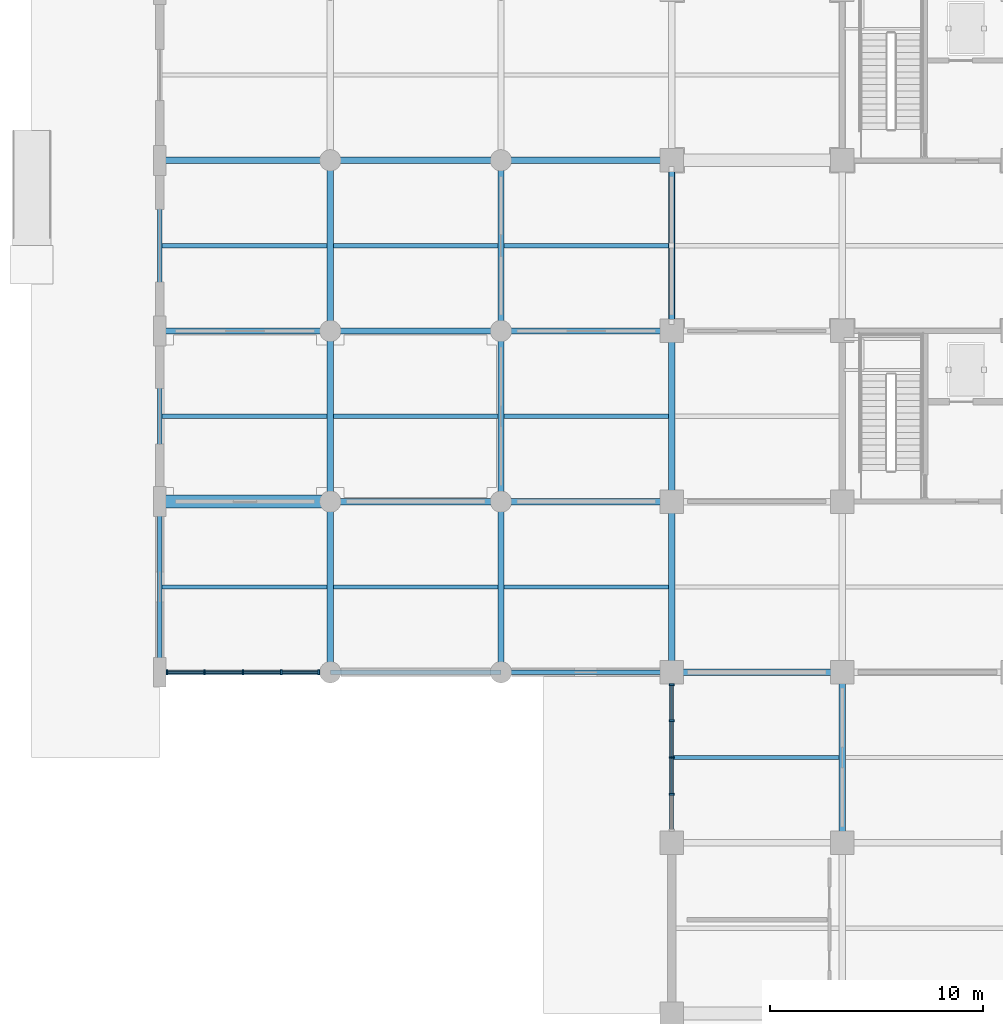
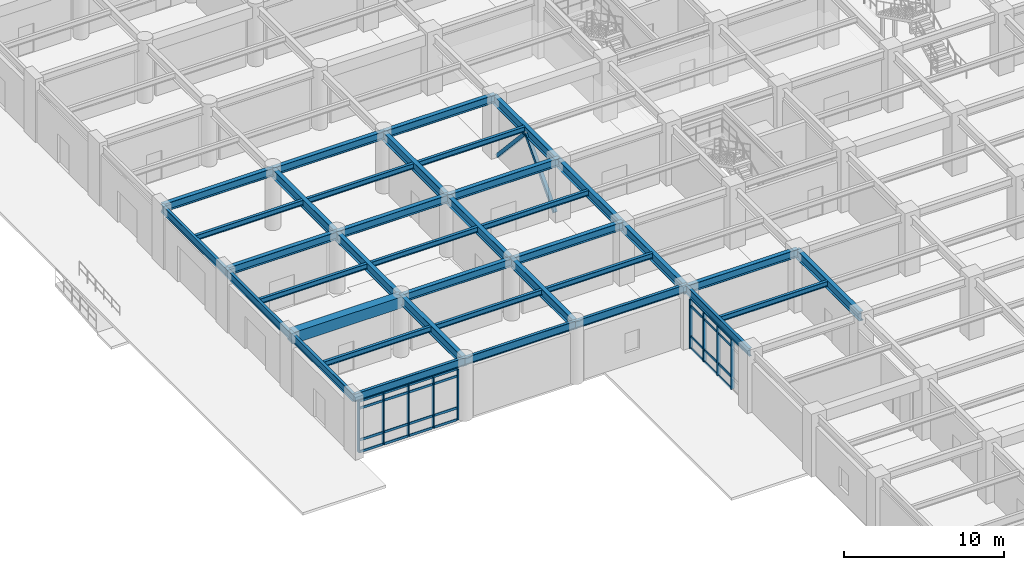
# One storey, part 23 of 125: 39 members, 37 beams, 2 elements without a shape of their own.
"""IFC4 building model written with IfcOpenShell, lengths in metres."""

from ifc_helpers import new_model, si_unit, direction, frame, origin, origin_2d, place, context, subcontext, project, spatial, rectangle, hollow_rectangle, i_section, extrude, material, layer, layer_set, material_profile, profile_set, type_object, element, aggregate, save


model = new_model("IFC4")

# Units and contexts
model_context = context("Model", 3, precision=1e-05, world=origin(), true_north=direction((0.0, 1.0)))
body_context = subcontext(model_context, "Body", "Model", "MODEL_VIEW")
ifc_project = project(units=[si_unit("LENGTHUNIT", "METRE"), si_unit("AREAUNIT", "SQUARE_METRE"), si_unit("VOLUMEUNIT", "CUBIC_METRE"), si_unit("PLANEANGLEUNIT", "RADIAN"), si_unit("MASSUNIT", "GRAM", prefix="KILO")], contexts=[model_context])

# Site, building, storey
site_placement = place(None, origin())
site = spatial("IfcSite", under=ifc_project, at=site_placement, CompositionType="ELEMENT")
building_placement = place(site_placement, origin())
building = spatial("IfcBuilding", under=site, at=building_placement, Name="Haebicheon Civic Stadium", CompositionType="ELEMENT")
storey_placement = place(building_placement, origin())
storey = spatial("IfcBuildingStorey", under=building, at=storey_placement, Name="L01", CompositionType="ELEMENT", Elevation=0.0)

# Beams
ifc_material_1 = material(Name="Steel SM355 (S355)", Category="steel")
ifc_material_profile_1 = material_profile(ifc_material_1, i_section(OverallWidth=0.300048828125, OverallDepth=0.60009765625, WebThickness=0.011962890625, FlangeThickness=0.02001953125, at=origin_2d()), Name="H-600x300x12x20")
ifc_profile_set_1 = profile_set([ifc_material_profile_1], Name="Steel SM355 (S355)")
beam_type_1 = type_object("IfcBeamType", Name="BM-ST-H600A", PredefinedType="BEAM", material=ifc_profile_set_1)
for number, where, z_axis, x_axis, name in (
    (1, (0.0, 48.0, 4.219970703125), (1.0, 0.0, 0.0), (0.0, 1.0, 0.0), "L01 beam G/1-2"),
    (2, (0.0, 56.0, 4.219970703125), (1.0, 0.0, 0.0), (0.0, 1.0, 0.0), "L01 beam H/1-2"),
    (3, (8.0, 40.0, 4.219970703125), (1.0, 0.0, 0.0), (0.0, 1.0, 0.0), "L01 beam F/2-3"),
    (4, (8.0, 48.0, 4.219970703125), (1.0, 0.0, 0.0), (0.0, 1.0, 0.0), "L01 beam G/2-3"),
    (5, (8.0, 56.0, 4.219970703125), (1.0, 0.0, 0.0), (0.0, 1.0, 0.0), "L01 beam H/2-3"),
    (6, (16.0, 40.0, 4.219970703125), (1.0, 0.0, 0.0), (0.0, 1.0, 0.0), "L01 beam F/3-4"),
    (7, (16.0, 48.0, 4.219970703125), (1.0, 0.0, 0.0), (0.0, 1.0, 0.0), "L01 beam G/3-4"),
    (8, (16.0, 56.0, 4.219970703125), (1.0, 0.0, 0.0), (0.0, 1.0, 0.0), "L01 beam H/3-4"),
    (9, (24.0, 32.0, 4.179931640625), (1.0, 0.0, 0.0), (0.0, 1.0, 0.0), "L01 beam E/4-5"),
):
    element("IfcBeam", number, at=place(storey_placement, frame(where, z_axis=z_axis, x_axis=x_axis)), inside=storey, type_object=beam_type_1, material=ifc_profile_set_1, Name=name, PredefinedType="BEAM", context=body_context, shape_type="SweptSolid", body=[
        extrude(i_section(OverallWidth=0.300048828125, OverallDepth=0.60009765625, WebThickness=0.011962890625, FlangeThickness=0.02001953125, at=origin_2d()), origin(), (0.0, 0.0, 1.0), 8.0),
    ])
ifc_material_2 = material(Name="Steel SM490", Category="steel")
ifc_material_profile_2 = material_profile(ifc_material_2, i_section(OverallWidth=0.300048828125, OverallDepth=0.699951171875, WebThickness=0.012939453125, FlangeThickness=0.02392578125, at=origin_2d()), Name="H-700x300x13x24")
ifc_profile_set_2 = profile_set([ifc_material_profile_2], Name="Steel SM490")
beam_type_2 = type_object("IfcBeamType", Name="BM-ST-H700", PredefinedType="BEAM", material=ifc_profile_set_2)
for number, where, z_axis, x_axis, name in (
    (10, (8.0, 32.0, 4.22998046875), (0.0, 1.0, 0.0), (-1.0, 0.0, 0.0), "L01 girder 2/E-F"),
    (11, (8.0, 40.0, 4.169921875), (0.0, 1.0, 0.0), (-1.0, 0.0, 0.0), "L01 girder 2/F-G"),
    (12, (8.0, 48.0, 4.169921875), (0.0, 1.0, 0.0), (-1.0, 0.0, 0.0), "L01 girder 2/G-H"),
    (13, (16.0, 32.0, 4.22998046875), (0.0, 1.0, 0.0), (-1.0, 0.0, 0.0), "L01 girder 3/E-F"),
    (14, (16.0, 40.0, 4.169921875), (0.0, 1.0, 0.0), (-1.0, 0.0, 0.0), "L01 girder 3/F-G"),
    (15, (16.0, 48.0, 4.169921875), (0.0, 1.0, 0.0), (-1.0, 0.0, 0.0), "L01 girder 3/G-H"),
    (16, (24.0, 32.0, 4.1298828125), (0.0, 1.0, 0.0), (-1.0, 0.0, 0.0), "L01 girder 4/E-F"),
    (17, (24.0, 40.0, 4.1298828125), (0.0, 1.0, 0.0), (-1.0, 0.0, 0.0), "L01 girder 4/F-G"),
    (18, (24.0, 48.0, 4.1298828125), (0.0, 1.0, 0.0), (-1.0, 0.0, 0.0), "L01 girder 4/G-H"),
    (19, (32.0, 24.0, 4.1298828125), (0.0, 1.0, 0.0), (-1.0, 0.0, 0.0), "L01 girder 5/D-E"),
):
    element("IfcBeam", number, at=place(storey_placement, frame(where, z_axis=z_axis, x_axis=x_axis)), inside=storey, type_object=beam_type_2, material=ifc_profile_set_2, Name=name, PredefinedType="BEAM", context=body_context, shape_type="SweptSolid", body=[
        extrude(i_section(OverallWidth=0.300048828125, OverallDepth=0.699951171875, WebThickness=0.012939453125, FlangeThickness=0.02392578125, at=origin_2d()), origin(), (0.0, 0.0, 1.0), 8.0),
    ])
ifc_material_3 = material(Name="Precast concrete C40/50", Category="concrete")
ifc_material_profile_3 = material_profile(ifc_material_3, rectangle(XDim=0.60009765625, YDim=0.85009765625, at=origin_2d()), Name="PC-TB-600x850")
ifc_profile_set_3 = profile_set([ifc_material_profile_3], Name="Precast concrete C40/50")
beam_type_3 = type_object("IfcBeamType", Name="BM-TB-600x850", PredefinedType="T_BEAM", material=ifc_profile_set_3)
beam_1_placement = place(storey_placement, frame((0.0, 40.0, 4.094970703125), z_axis=(1.0, 0.0, 0.0), x_axis=(0.0, 1.0, 0.0)))
element("IfcBeam", 20, at=beam_1_placement, inside=storey, type_object=beam_type_3, material=ifc_profile_set_3, Name="L01 beam F/1-2", PredefinedType="T_BEAM", context=body_context, shape_type="SweptSolid", body=[
    extrude(rectangle(XDim=0.60009765625, YDim=0.85009765625, at=origin_2d()), origin(), (0.0, 0.0, 1.0), 8.0),
])

# Members
ifc_material_4 = material(Name="Steel SM490", Category="steel")
ifc_material_profile_4 = material_profile(ifc_material_4, hollow_rectangle(XDim=0.25, YDim=0.25, WallThickness=0.011962890625, at=origin_2d()), Name="RHS-250x250x12.0")
ifc_profile_set_4 = profile_set([ifc_material_profile_4], Name="Steel SM490")
member_type_1 = type_object("IfcMemberType", Name="BRC-RHS250", PredefinedType="BRACE", material=ifc_profile_set_4)
for number, where, z_axis, x_axis, name in (
    (21, (24.0, 48.419921875, 0.0400390625), (0.0, 0.676254882326, 0.736667723014), (-1.0, 0.0, 0.0), "BR250 chevron brace L01 03-06 A"),
    (22, (24.0, 55.580078125, 0.0400390625), (0.0, -0.676254882326, 0.736667723014), (1.0, 0.0, 0.0), "BR250 chevron brace L01 03-06 B"),
):
    element("IfcMember", number, at=place(storey_placement, frame(where, z_axis=z_axis, x_axis=x_axis)), inside=storey, type_object=member_type_1, material=ifc_profile_set_4, Name=name, PredefinedType="BRACE", context=body_context, shape_type="SweptSolid", body=[
        extrude(hollow_rectangle(XDim=0.25, YDim=0.25, WallThickness=0.011962890625, at=origin_2d()), origin(), (0.0, 0.0, 1.0), 5.2939453125),
    ])

# Curtain wall, members
ifc_material_5 = material(Name="Anodised aluminium and laminated glass", Category="aluminium")
ifc_layer_1 = layer(ifc_material_5, 0.179931640625, Name="Anodised aluminium and laminated glass")
ifc_layer_set_1 = layer_set([ifc_layer_1], Name="Anodised aluminium and laminated glass")
curtain_wall_type_1 = type_object("IfcCurtainWallType", Name="CW-7200x3870", PredefinedType="NOTDEFINED", material=ifc_layer_set_1)
curtain_wall_1_placement = place(storey_placement, origin())
curtain_wall_1 = element("IfcCurtainWall", 23, at=curtain_wall_1_placement, inside=storey, type_object=curtain_wall_type_1, material=ifc_layer_set_1, Name="L01 unitised curtain wall 001", PredefinedType="NOTDEFINED")
ifc_material_6 = material(Name="Anodised aluminium 6063-T6", Category="aluminium")
ifc_material_profile_5 = material_profile(ifc_material_6, rectangle(XDim=0.080078125, YDim=0.239990234375, at=origin_2d()), Name="ALU-MULL-80x240")
ifc_profile_set_5 = profile_set([ifc_material_profile_5], Name="Anodised aluminium 6063-T6")
member_type_2 = type_object("IfcMemberType", Name="CWM-240x80", PredefinedType="MULLION", material=ifc_profile_set_5)
member_1_placement = place(storey_placement, frame((0.340087890625, 32.0, 0.0), z_axis=(0.0, 0.0, 1.0), x_axis=(1.0, 0.0, 0.0)))
member_1 = element("IfcMember", 24, at=member_1_placement, type_object=member_type_2, material=ifc_profile_set_5, Name="CW-L01-001 vertical mullion 1", PredefinedType="MULLION", context=body_context, shape_type="SweptSolid", body=[
    extrude(rectangle(XDim=0.080078125, YDim=0.239990234375, at=origin_2d()), origin(), (0.0, 0.0, 1.0), 3.8701171875),
])
member_2_placement = place(storey_placement, frame((2.10009765625, 32.0, 0.0), z_axis=(0.0, 0.0, 1.0), x_axis=(1.0, 0.0, 0.0)))
member_2 = element("IfcMember", 25, at=member_2_placement, type_object=member_type_2, material=ifc_profile_set_5, Name="CW-L01-001 vertical mullion 2", PredefinedType="MULLION", context=body_context, shape_type="SweptSolid", body=[
    extrude(rectangle(XDim=0.080078125, YDim=0.239990234375, at=origin_2d()), origin(), (0.0, 0.0, 1.0), 3.8701171875),
])
member_3_placement = place(storey_placement, frame((3.89990234375, 32.0, 0.0), z_axis=(0.0, 0.0, 1.0), x_axis=(1.0, 0.0, 0.0)))
member_3 = element("IfcMember", 26, at=member_3_placement, type_object=member_type_2, material=ifc_profile_set_5, Name="CW-L01-001 vertical mullion 3", PredefinedType="MULLION", context=body_context, shape_type="SweptSolid", body=[
    extrude(rectangle(XDim=0.080078125, YDim=0.239990234375, at=origin_2d()), origin(), (0.0, 0.0, 1.0), 3.8701171875),
])
member_4_placement = place(storey_placement, frame((5.699951171875, 32.0, 0.0), z_axis=(0.0, 0.0, 1.0), x_axis=(1.0, 0.0, 0.0)))
member_4 = element("IfcMember", 27, at=member_4_placement, type_object=member_type_2, material=ifc_profile_set_5, Name="CW-L01-001 vertical mullion 4", PredefinedType="MULLION", context=body_context, shape_type="SweptSolid", body=[
    extrude(rectangle(XDim=0.080078125, YDim=0.239990234375, at=origin_2d()), origin(), (0.0, 0.0, 1.0), 3.8701171875),
])
member_5_placement = place(storey_placement, frame((7.4599609375, 32.0, 0.0), z_axis=(0.0, 0.0, 1.0), x_axis=(1.0, 0.0, 0.0)))
member_5 = element("IfcMember", 28, at=member_5_placement, type_object=member_type_2, material=ifc_profile_set_5, Name="CW-L01-001 vertical mullion 5", PredefinedType="MULLION", context=body_context, shape_type="SweptSolid", body=[
    extrude(rectangle(XDim=0.080078125, YDim=0.239990234375, at=origin_2d()), origin(), (0.0, 0.0, 1.0), 3.8701171875),
])

ifc_material_7 = material(Name="Anodised aluminium and laminated glass", Category="aluminium")
ifc_layer_2 = layer(ifc_material_7, 0.179931640625, Name="Anodised aluminium and laminated glass")
ifc_layer_set_2 = layer_set([ifc_layer_2], Name="Anodised aluminium and laminated glass")
curtain_wall_type_2 = type_object("IfcCurtainWallType", Name="CW-6900x3770", PredefinedType="NOTDEFINED", material=ifc_layer_set_2)
curtain_wall_2_placement = place(storey_placement, origin())
curtain_wall_2 = element("IfcCurtainWall", 29, at=curtain_wall_2_placement, inside=storey, type_object=curtain_wall_type_2, material=ifc_layer_set_2, Name="L01 unitised curtain wall 002", PredefinedType="NOTDEFINED")
member_6_placement = place(storey_placement, frame((24.0, 26.27490234375, 0.0), z_axis=(0.0, 0.0, 1.0), x_axis=(0.0, 1.0, 0.0)))
member_6 = element("IfcMember", 30, at=member_6_placement, type_object=member_type_2, material=ifc_profile_set_5, Name="CW-L01-002 vertical mullion 2", PredefinedType="MULLION", context=body_context, shape_type="SweptSolid", body=[
    extrude(rectangle(XDim=0.080078125, YDim=0.239990234375, at=origin_2d()), origin(), (0.0, 0.0, 1.0), 3.77001953125),
])
member_7_placement = place(storey_placement, frame((24.0, 28.0, 0.0), z_axis=(0.0, 0.0, 1.0), x_axis=(0.0, 1.0, 0.0)))
member_7 = element("IfcMember", 31, at=member_7_placement, type_object=member_type_2, material=ifc_profile_set_5, Name="CW-L01-002 vertical mullion 3", PredefinedType="MULLION", context=body_context, shape_type="SweptSolid", body=[
    extrude(rectangle(XDim=0.080078125, YDim=0.239990234375, at=origin_2d()), origin(), (0.0, 0.0, 1.0), 3.77001953125),
])
member_8_placement = place(storey_placement, frame((24.0, 29.72509765625, 0.0), z_axis=(0.0, 0.0, 1.0), x_axis=(0.0, 1.0, 0.0)))
member_8 = element("IfcMember", 32, at=member_8_placement, type_object=member_type_2, material=ifc_profile_set_5, Name="CW-L01-002 vertical mullion 4", PredefinedType="MULLION", context=body_context, shape_type="SweptSolid", body=[
    extrude(rectangle(XDim=0.080078125, YDim=0.239990234375, at=origin_2d()), origin(), (0.0, 0.0, 1.0), 3.77001953125),
])
member_9_placement = place(storey_placement, frame((24.0, 31.409912109375, 0.0), z_axis=(0.0, 0.0, 1.0), x_axis=(0.0, 1.0, 0.0)))
member_9 = element("IfcMember", 33, at=member_9_placement, type_object=member_type_2, material=ifc_profile_set_5, Name="CW-L01-002 vertical mullion 5", PredefinedType="MULLION", context=body_context, shape_type="SweptSolid", body=[
    extrude(rectangle(XDim=0.080078125, YDim=0.239990234375, at=origin_2d()), origin(), (0.0, 0.0, 1.0), 3.77001953125),
])

# Member
ifc_material_8 = material(Name="Anodised aluminium 6063-T6", Category="aluminium")
ifc_material_profile_6 = material_profile(ifc_material_8, rectangle(XDim=0.080078125, YDim=0.179931640625, at=origin_2d()), Name="ALU-TRAN-80x180")
ifc_profile_set_6 = profile_set([ifc_material_profile_6], Name="Anodised aluminium 6063-T6")
member_type_3 = type_object("IfcMemberType", Name="CWT-180x80", PredefinedType="NOTDEFINED", material=ifc_profile_set_6)
member_10_placement = place(storey_placement, frame((0.3798828125, 32.0, 0.0), z_axis=(1.0, 0.0, 0.0), x_axis=(0.0, 1.0, 0.0)))
member_10 = element("IfcMember", 34, at=member_10_placement, type_object=member_type_3, material=ifc_profile_set_6, Name="CW-L01-001 horizontal transom 1.1", ObjectType="TRANSOM", PredefinedType="USERDEFINED", context=body_context, shape_type="SweptSolid", body=[
    extrude(rectangle(XDim=0.080078125, YDim=0.179931640625, at=origin_2d()), origin(), (0.0, 0.0, 1.0), 1.68017578125),
])

member_11_placement = place(storey_placement, frame((0.3798828125, 32.0, 0.89990234375), z_axis=(1.0, 0.0, 0.0), x_axis=(0.0, 1.0, 0.0)))
member_11 = element("IfcMember", 35, at=member_11_placement, type_object=member_type_3, material=ifc_profile_set_6, Name="CW-L01-001 horizontal transom 1.2", ObjectType="TRANSOM", PredefinedType="USERDEFINED", context=body_context, shape_type="SweptSolid", body=[
    extrude(rectangle(XDim=0.080078125, YDim=0.179931640625, at=origin_2d()), origin(), (0.0, 0.0, 1.0), 1.68017578125),
])

member_12_placement = place(storey_placement, frame((0.3798828125, 32.0, 3.320068359375), z_axis=(1.0, 0.0, 0.0), x_axis=(0.0, 1.0, 0.0)))
member_12 = element("IfcMember", 36, at=member_12_placement, type_object=member_type_3, material=ifc_profile_set_6, Name="CW-L01-001 horizontal transom 1.3", ObjectType="TRANSOM", PredefinedType="USERDEFINED", context=body_context, shape_type="SweptSolid", body=[
    extrude(rectangle(XDim=0.080078125, YDim=0.179931640625, at=origin_2d()), origin(), (0.0, 0.0, 1.0), 1.68017578125),
])

member_13_placement = place(storey_placement, frame((0.3798828125, 32.0, 3.8701171875), z_axis=(1.0, 0.0, 0.0), x_axis=(0.0, 1.0, 0.0)))
member_13 = element("IfcMember", 37, at=member_13_placement, type_object=member_type_3, material=ifc_profile_set_6, Name="CW-L01-001 horizontal transom 1.4", ObjectType="TRANSOM", PredefinedType="USERDEFINED", context=body_context, shape_type="SweptSolid", body=[
    extrude(rectangle(XDim=0.080078125, YDim=0.179931640625, at=origin_2d()), origin(), (0.0, 0.0, 1.0), 1.68017578125),
])

member_14_placement = place(storey_placement, frame((2.139892578125, 32.0, 0.0), z_axis=(1.0, 0.0, 0.0), x_axis=(0.0, 1.0, 0.0)))
member_14 = element("IfcMember", 38, at=member_14_placement, type_object=member_type_3, material=ifc_profile_set_6, Name="CW-L01-001 horizontal transom 2.1", ObjectType="TRANSOM", PredefinedType="USERDEFINED", context=body_context, shape_type="SweptSolid", body=[
    extrude(rectangle(XDim=0.080078125, YDim=0.179931640625, at=origin_2d()), origin(), (0.0, 0.0, 1.0), 1.72021484375),
])

member_15_placement = place(storey_placement, frame((2.139892578125, 32.0, 0.89990234375), z_axis=(1.0, 0.0, 0.0), x_axis=(0.0, 1.0, 0.0)))
member_15 = element("IfcMember", 39, at=member_15_placement, type_object=member_type_3, material=ifc_profile_set_6, Name="CW-L01-001 horizontal transom 2.2", ObjectType="TRANSOM", PredefinedType="USERDEFINED", context=body_context, shape_type="SweptSolid", body=[
    extrude(rectangle(XDim=0.080078125, YDim=0.179931640625, at=origin_2d()), origin(), (0.0, 0.0, 1.0), 1.72021484375),
])

member_16_placement = place(storey_placement, frame((2.139892578125, 32.0, 3.320068359375), z_axis=(1.0, 0.0, 0.0), x_axis=(0.0, 1.0, 0.0)))
member_16 = element("IfcMember", 40, at=member_16_placement, type_object=member_type_3, material=ifc_profile_set_6, Name="CW-L01-001 horizontal transom 2.3", ObjectType="TRANSOM", PredefinedType="USERDEFINED", context=body_context, shape_type="SweptSolid", body=[
    extrude(rectangle(XDim=0.080078125, YDim=0.179931640625, at=origin_2d()), origin(), (0.0, 0.0, 1.0), 1.72021484375),
])

member_17_placement = place(storey_placement, frame((2.139892578125, 32.0, 3.8701171875), z_axis=(1.0, 0.0, 0.0), x_axis=(0.0, 1.0, 0.0)))
member_17 = element("IfcMember", 41, at=member_17_placement, type_object=member_type_3, material=ifc_profile_set_6, Name="CW-L01-001 horizontal transom 2.4", ObjectType="TRANSOM", PredefinedType="USERDEFINED", context=body_context, shape_type="SweptSolid", body=[
    extrude(rectangle(XDim=0.080078125, YDim=0.179931640625, at=origin_2d()), origin(), (0.0, 0.0, 1.0), 1.72021484375),
])

member_18_placement = place(storey_placement, frame((3.93994140625, 32.0, 0.0), z_axis=(1.0, 0.0, 0.0), x_axis=(0.0, 1.0, 0.0)))
member_18 = element("IfcMember", 42, at=member_18_placement, type_object=member_type_3, material=ifc_profile_set_6, Name="CW-L01-001 horizontal transom 3.1", ObjectType="TRANSOM", PredefinedType="USERDEFINED", context=body_context, shape_type="SweptSolid", body=[
    extrude(rectangle(XDim=0.080078125, YDim=0.179931640625, at=origin_2d()), origin(), (0.0, 0.0, 1.0), 1.719970703125),
])

member_19_placement = place(storey_placement, frame((3.93994140625, 32.0, 0.89990234375), z_axis=(1.0, 0.0, 0.0), x_axis=(0.0, 1.0, 0.0)))
member_19 = element("IfcMember", 43, at=member_19_placement, type_object=member_type_3, material=ifc_profile_set_6, Name="CW-L01-001 horizontal transom 3.2", ObjectType="TRANSOM", PredefinedType="USERDEFINED", context=body_context, shape_type="SweptSolid", body=[
    extrude(rectangle(XDim=0.080078125, YDim=0.179931640625, at=origin_2d()), origin(), (0.0, 0.0, 1.0), 1.719970703125),
])

member_20_placement = place(storey_placement, frame((3.93994140625, 32.0, 3.320068359375), z_axis=(1.0, 0.0, 0.0), x_axis=(0.0, 1.0, 0.0)))
member_20 = element("IfcMember", 44, at=member_20_placement, type_object=member_type_3, material=ifc_profile_set_6, Name="CW-L01-001 horizontal transom 3.3", ObjectType="TRANSOM", PredefinedType="USERDEFINED", context=body_context, shape_type="SweptSolid", body=[
    extrude(rectangle(XDim=0.080078125, YDim=0.179931640625, at=origin_2d()), origin(), (0.0, 0.0, 1.0), 1.719970703125),
])

member_21_placement = place(storey_placement, frame((3.93994140625, 32.0, 3.8701171875), z_axis=(1.0, 0.0, 0.0), x_axis=(0.0, 1.0, 0.0)))
member_21 = element("IfcMember", 45, at=member_21_placement, type_object=member_type_3, material=ifc_profile_set_6, Name="CW-L01-001 horizontal transom 3.4", ObjectType="TRANSOM", PredefinedType="USERDEFINED", context=body_context, shape_type="SweptSolid", body=[
    extrude(rectangle(XDim=0.080078125, YDim=0.179931640625, at=origin_2d()), origin(), (0.0, 0.0, 1.0), 1.719970703125),
])

member_22_placement = place(storey_placement, frame((5.739990234375, 32.0, 0.0), z_axis=(1.0, 0.0, 0.0), x_axis=(0.0, 1.0, 0.0)))
member_22 = element("IfcMember", 46, at=member_22_placement, type_object=member_type_3, material=ifc_profile_set_6, Name="CW-L01-001 horizontal transom 4.1", ObjectType="TRANSOM", PredefinedType="USERDEFINED", context=body_context, shape_type="SweptSolid", body=[
    extrude(rectangle(XDim=0.080078125, YDim=0.179931640625, at=origin_2d()), origin(), (0.0, 0.0, 1.0), 1.679931640625),
])

member_23_placement = place(storey_placement, frame((5.739990234375, 32.0, 0.89990234375), z_axis=(1.0, 0.0, 0.0), x_axis=(0.0, 1.0, 0.0)))
member_23 = element("IfcMember", 47, at=member_23_placement, type_object=member_type_3, material=ifc_profile_set_6, Name="CW-L01-001 horizontal transom 4.2", ObjectType="TRANSOM", PredefinedType="USERDEFINED", context=body_context, shape_type="SweptSolid", body=[
    extrude(rectangle(XDim=0.080078125, YDim=0.179931640625, at=origin_2d()), origin(), (0.0, 0.0, 1.0), 1.679931640625),
])

member_24_placement = place(storey_placement, frame((5.739990234375, 32.0, 3.320068359375), z_axis=(1.0, 0.0, 0.0), x_axis=(0.0, 1.0, 0.0)))
member_24 = element("IfcMember", 48, at=member_24_placement, type_object=member_type_3, material=ifc_profile_set_6, Name="CW-L01-001 horizontal transom 4.3", ObjectType="TRANSOM", PredefinedType="USERDEFINED", context=body_context, shape_type="SweptSolid", body=[
    extrude(rectangle(XDim=0.080078125, YDim=0.179931640625, at=origin_2d()), origin(), (0.0, 0.0, 1.0), 1.679931640625),
])

member_25_placement = place(storey_placement, frame((5.739990234375, 32.0, 3.8701171875), z_axis=(1.0, 0.0, 0.0), x_axis=(0.0, 1.0, 0.0)))
member_25 = element("IfcMember", 49, at=member_25_placement, type_object=member_type_3, material=ifc_profile_set_6, Name="CW-L01-001 horizontal transom 4.4", ObjectType="TRANSOM", PredefinedType="USERDEFINED", context=body_context, shape_type="SweptSolid", body=[
    extrude(rectangle(XDim=0.080078125, YDim=0.179931640625, at=origin_2d()), origin(), (0.0, 0.0, 1.0), 1.679931640625),
])

aggregate(curtain_wall_1, [member_1, member_2, member_3, member_4, member_5, member_10, member_11, member_12, member_13, member_14, member_15, member_16, member_17, member_18, member_19, member_20, member_21, member_22, member_23, member_24, member_25])

member_26_placement = place(storey_placement, frame((24.0, 26.31494140625, 0.0), z_axis=(0.0, 1.0, 0.0), x_axis=(-1.0, 0.0, 0.0)))
member_26 = element("IfcMember", 50, at=member_26_placement, type_object=member_type_3, material=ifc_profile_set_6, Name="CW-L01-002 horizontal transom 2.1", ObjectType="TRANSOM", PredefinedType="USERDEFINED", context=body_context, shape_type="SweptSolid", body=[
    extrude(rectangle(XDim=0.080078125, YDim=0.179931640625, at=origin_2d()), origin(), (0.0, 0.0, 1.0), 1.64501953125),
])

member_27_placement = place(storey_placement, frame((24.0, 26.31494140625, 0.89990234375), z_axis=(0.0, 1.0, 0.0), x_axis=(-1.0, 0.0, 0.0)))
member_27 = element("IfcMember", 51, at=member_27_placement, type_object=member_type_3, material=ifc_profile_set_6, Name="CW-L01-002 horizontal transom 2.2", ObjectType="TRANSOM", PredefinedType="USERDEFINED", context=body_context, shape_type="SweptSolid", body=[
    extrude(rectangle(XDim=0.080078125, YDim=0.179931640625, at=origin_2d()), origin(), (0.0, 0.0, 1.0), 1.64501953125),
])

member_28_placement = place(storey_placement, frame((24.0, 26.31494140625, 3.219970703125), z_axis=(0.0, 1.0, 0.0), x_axis=(-1.0, 0.0, 0.0)))
member_28 = element("IfcMember", 52, at=member_28_placement, type_object=member_type_3, material=ifc_profile_set_6, Name="CW-L01-002 horizontal transom 2.3", ObjectType="TRANSOM", PredefinedType="USERDEFINED", context=body_context, shape_type="SweptSolid", body=[
    extrude(rectangle(XDim=0.080078125, YDim=0.179931640625, at=origin_2d()), origin(), (0.0, 0.0, 1.0), 1.64501953125),
])

member_29_placement = place(storey_placement, frame((24.0, 26.31494140625, 3.77001953125), z_axis=(0.0, 1.0, 0.0), x_axis=(-1.0, 0.0, 0.0)))
member_29 = element("IfcMember", 53, at=member_29_placement, type_object=member_type_3, material=ifc_profile_set_6, Name="CW-L01-002 horizontal transom 2.4", ObjectType="TRANSOM", PredefinedType="USERDEFINED", context=body_context, shape_type="SweptSolid", body=[
    extrude(rectangle(XDim=0.080078125, YDim=0.179931640625, at=origin_2d()), origin(), (0.0, 0.0, 1.0), 1.64501953125),
])

member_30_placement = place(storey_placement, frame((24.0, 28.0400390625, 0.0), z_axis=(0.0, 1.0, 0.0), x_axis=(-1.0, 0.0, 0.0)))
member_30 = element("IfcMember", 54, at=member_30_placement, type_object=member_type_3, material=ifc_profile_set_6, Name="CW-L01-002 horizontal transom 3.1", ObjectType="TRANSOM", PredefinedType="USERDEFINED", context=body_context, shape_type="SweptSolid", body=[
    extrude(rectangle(XDim=0.080078125, YDim=0.179931640625, at=origin_2d()), origin(), (0.0, 0.0, 1.0), 1.64501953125),
])

member_31_placement = place(storey_placement, frame((24.0, 28.0400390625, 0.89990234375), z_axis=(0.0, 1.0, 0.0), x_axis=(-1.0, 0.0, 0.0)))
member_31 = element("IfcMember", 55, at=member_31_placement, type_object=member_type_3, material=ifc_profile_set_6, Name="CW-L01-002 horizontal transom 3.2", ObjectType="TRANSOM", PredefinedType="USERDEFINED", context=body_context, shape_type="SweptSolid", body=[
    extrude(rectangle(XDim=0.080078125, YDim=0.179931640625, at=origin_2d()), origin(), (0.0, 0.0, 1.0), 1.64501953125),
])

member_32_placement = place(storey_placement, frame((24.0, 28.0400390625, 3.219970703125), z_axis=(0.0, 1.0, 0.0), x_axis=(-1.0, 0.0, 0.0)))
member_32 = element("IfcMember", 56, at=member_32_placement, type_object=member_type_3, material=ifc_profile_set_6, Name="CW-L01-002 horizontal transom 3.3", ObjectType="TRANSOM", PredefinedType="USERDEFINED", context=body_context, shape_type="SweptSolid", body=[
    extrude(rectangle(XDim=0.080078125, YDim=0.179931640625, at=origin_2d()), origin(), (0.0, 0.0, 1.0), 1.64501953125),
])

member_33_placement = place(storey_placement, frame((24.0, 28.0400390625, 3.77001953125), z_axis=(0.0, 1.0, 0.0), x_axis=(-1.0, 0.0, 0.0)))
member_33 = element("IfcMember", 57, at=member_33_placement, type_object=member_type_3, material=ifc_profile_set_6, Name="CW-L01-002 horizontal transom 3.4", ObjectType="TRANSOM", PredefinedType="USERDEFINED", context=body_context, shape_type="SweptSolid", body=[
    extrude(rectangle(XDim=0.080078125, YDim=0.179931640625, at=origin_2d()), origin(), (0.0, 0.0, 1.0), 1.64501953125),
])

member_34_placement = place(storey_placement, frame((24.0, 29.764892578125, 0.0), z_axis=(0.0, 1.0, 0.0), x_axis=(-1.0, 0.0, 0.0)))
member_34 = element("IfcMember", 58, at=member_34_placement, type_object=member_type_3, material=ifc_profile_set_6, Name="CW-L01-002 horizontal transom 4.1", ObjectType="TRANSOM", PredefinedType="USERDEFINED", context=body_context, shape_type="SweptSolid", body=[
    extrude(rectangle(XDim=0.080078125, YDim=0.179931640625, at=origin_2d()), origin(), (0.0, 0.0, 1.0), 1.605224609375),
])

member_35_placement = place(storey_placement, frame((24.0, 29.764892578125, 0.89990234375), z_axis=(0.0, 1.0, 0.0), x_axis=(-1.0, 0.0, 0.0)))
member_35 = element("IfcMember", 59, at=member_35_placement, type_object=member_type_3, material=ifc_profile_set_6, Name="CW-L01-002 horizontal transom 4.2", ObjectType="TRANSOM", PredefinedType="USERDEFINED", context=body_context, shape_type="SweptSolid", body=[
    extrude(rectangle(XDim=0.080078125, YDim=0.179931640625, at=origin_2d()), origin(), (0.0, 0.0, 1.0), 1.605224609375),
])

member_36_placement = place(storey_placement, frame((24.0, 29.764892578125, 3.219970703125), z_axis=(0.0, 1.0, 0.0), x_axis=(-1.0, 0.0, 0.0)))
member_36 = element("IfcMember", 60, at=member_36_placement, type_object=member_type_3, material=ifc_profile_set_6, Name="CW-L01-002 horizontal transom 4.3", ObjectType="TRANSOM", PredefinedType="USERDEFINED", context=body_context, shape_type="SweptSolid", body=[
    extrude(rectangle(XDim=0.080078125, YDim=0.179931640625, at=origin_2d()), origin(), (0.0, 0.0, 1.0), 1.605224609375),
])

member_37_placement = place(storey_placement, frame((24.0, 29.764892578125, 3.77001953125), z_axis=(0.0, 1.0, 0.0), x_axis=(-1.0, 0.0, 0.0)))
member_37 = element("IfcMember", 61, at=member_37_placement, type_object=member_type_3, material=ifc_profile_set_6, Name="CW-L01-002 horizontal transom 4.4", ObjectType="TRANSOM", PredefinedType="USERDEFINED", context=body_context, shape_type="SweptSolid", body=[
    extrude(rectangle(XDim=0.080078125, YDim=0.179931640625, at=origin_2d()), origin(), (0.0, 0.0, 1.0), 1.605224609375),
])

aggregate(curtain_wall_2, [member_6, member_7, member_8, member_9, member_26, member_27, member_28, member_29, member_30, member_31, member_32, member_33, member_34, member_35, member_36, member_37])

# Beams
ifc_material_9 = material(Name="Steel SM355 (S355)", Category="steel")
ifc_material_profile_7 = material_profile(ifc_material_9, i_section(OverallWidth=0.199951171875, OverallDepth=0.39990234375, WebThickness=0.008056640625, FlangeThickness=0.012939453125, at=origin_2d()), Name="H-400x200x8x13")
ifc_profile_set_7 = profile_set([ifc_material_profile_7], Name="Steel SM355 (S355)")
beam_type_4 = type_object("IfcBeamType", Name="JST-ST-H400", PredefinedType="JOIST", material=ifc_profile_set_7)
for number, where, z_axis, x_axis, name in (
    (62, (0.10009765625, 36.0, 4.3798828125), (1.0, 0.0, 0.0), (0.0, 1.0, 0.0), "L01 secondary joist 00-04"),
    (63, (0.10009765625, 44.0, 4.320068359375), (1.0, 0.0, 0.0), (0.0, 1.0, 0.0), "L01 secondary joist 00-05"),
    (64, (0.10009765625, 52.0, 4.320068359375), (1.0, 0.0, 0.0), (0.0, 1.0, 0.0), "L01 secondary joist 00-06"),
):
    element("IfcBeam", number, at=place(storey_placement, frame(where, z_axis=z_axis, x_axis=x_axis)), inside=storey, type_object=beam_type_4, material=ifc_profile_set_7, Name=name, PredefinedType="JOIST", context=body_context, shape_type="SweptSolid", body=[
        extrude(i_section(OverallWidth=0.199951171875, OverallDepth=0.39990234375, WebThickness=0.008056640625, FlangeThickness=0.012939453125, at=origin_2d()), origin(), (0.0, 0.0, 1.0), 7.75),
    ])
for number, where, z_axis, x_axis, name in (
    (65, (8.14990234375, 36.0, 4.3798828125), (1.0, 0.0, 0.0), (0.0, 1.0, 0.0), "L01 secondary joist 01-04"),
    (66, (8.14990234375, 44.0, 4.320068359375), (1.0, 0.0, 0.0), (0.0, 1.0, 0.0), "L01 secondary joist 01-05"),
    (67, (8.14990234375, 52.0, 4.320068359375), (1.0, 0.0, 0.0), (0.0, 1.0, 0.0), "L01 secondary joist 01-06"),
    (68, (16.14990234375, 36.0, 4.3798828125), (1.0, 0.0, 0.0), (0.0, 1.0, 0.0), "L01 secondary joist 02-04"),
    (69, (16.14990234375, 44.0, 4.320068359375), (1.0, 0.0, 0.0), (0.0, 1.0, 0.0), "L01 secondary joist 02-05"),
    (70, (16.14990234375, 52.0, 4.320068359375), (1.0, 0.0, 0.0), (0.0, 1.0, 0.0), "L01 secondary joist 02-06"),
):
    element("IfcBeam", number, at=place(storey_placement, frame(where, z_axis=z_axis, x_axis=x_axis)), inside=storey, type_object=beam_type_4, material=ifc_profile_set_7, Name=name, PredefinedType="JOIST", context=body_context, shape_type="SweptSolid", body=[
        extrude(i_section(OverallWidth=0.199951171875, OverallDepth=0.39990234375, WebThickness=0.008056640625, FlangeThickness=0.012939453125, at=origin_2d()), origin(), (0.0, 0.0, 1.0), 7.7001953125),
    ])
beam_2_placement = place(storey_placement, frame((24.10009765625, 28.0, 4.280029296875), z_axis=(1.0, 0.0, 0.0), x_axis=(0.0, 1.0, 0.0)))
element("IfcBeam", 71, at=beam_2_placement, inside=storey, type_object=beam_type_4, material=ifc_profile_set_7, Name="L01 secondary joist 03-03", PredefinedType="JOIST", context=body_context, shape_type="SweptSolid", body=[
    extrude(i_section(OverallWidth=0.199951171875, OverallDepth=0.39990234375, WebThickness=0.008056640625, FlangeThickness=0.012939453125, at=origin_2d()), origin(), (0.0, 0.0, 1.0), 7.75),
])
ifc_material_10 = material(Name="Steel SM355 (S355)", Category="steel")
ifc_material_profile_8 = material_profile(ifc_material_10, i_section(OverallWidth=0.199951171875, OverallDepth=0.60009765625, WebThickness=0.010986328125, FlangeThickness=0.01708984375, at=origin_2d()), Name="H-600x200x11x17")
ifc_profile_set_8 = profile_set([ifc_material_profile_8], Name="Steel SM355 (S355)")
beam_type_5 = type_object("IfcBeamType", Name="SPD-ST-H600B", PredefinedType="SPANDREL", material=ifc_profile_set_8)
for number, where, z_axis, x_axis, name in (
    (72, (0.0, 32.0, 4.280029296875), (0.0, 1.0, 0.0), (-1.0, 0.0, 0.0), "L01 girder 1/E-F"),
    (73, (0.0, 40.0, 4.219970703125), (0.0, 1.0, 0.0), (-1.0, 0.0, 0.0), "L01 girder 1/F-G"),
    (74, (0.0, 48.0, 4.219970703125), (0.0, 1.0, 0.0), (-1.0, 0.0, 0.0), "L01 girder 1/G-H"),
    (75, (24.0, 24.0, 4.179931640625), (0.0, 1.0, 0.0), (-1.0, 0.0, 0.0), "L01 girder 4/D-E"),
    (76, (0.0, 32.0, 4.280029296875), (1.0, 0.0, 0.0), (0.0, 1.0, 0.0), "L01 beam E/1-2"),
    (77, (8.0, 32.0, 4.280029296875), (1.0, 0.0, 0.0), (0.0, 1.0, 0.0), "L01 beam E/2-3"),
    (78, (16.0, 32.0, 4.280029296875), (1.0, 0.0, 0.0), (0.0, 1.0, 0.0), "L01 beam E/3-4"),
):
    element("IfcBeam", number, at=place(storey_placement, frame(where, z_axis=z_axis, x_axis=x_axis)), inside=storey, type_object=beam_type_5, material=ifc_profile_set_8, Name=name, PredefinedType="SPANDREL", context=body_context, shape_type="SweptSolid", body=[
        extrude(i_section(OverallWidth=0.199951171875, OverallDepth=0.60009765625, WebThickness=0.010986328125, FlangeThickness=0.01708984375, at=origin_2d()), origin(), (0.0, 0.0, 1.0), 8.0),
    ])

save(model, "model.ifc")
